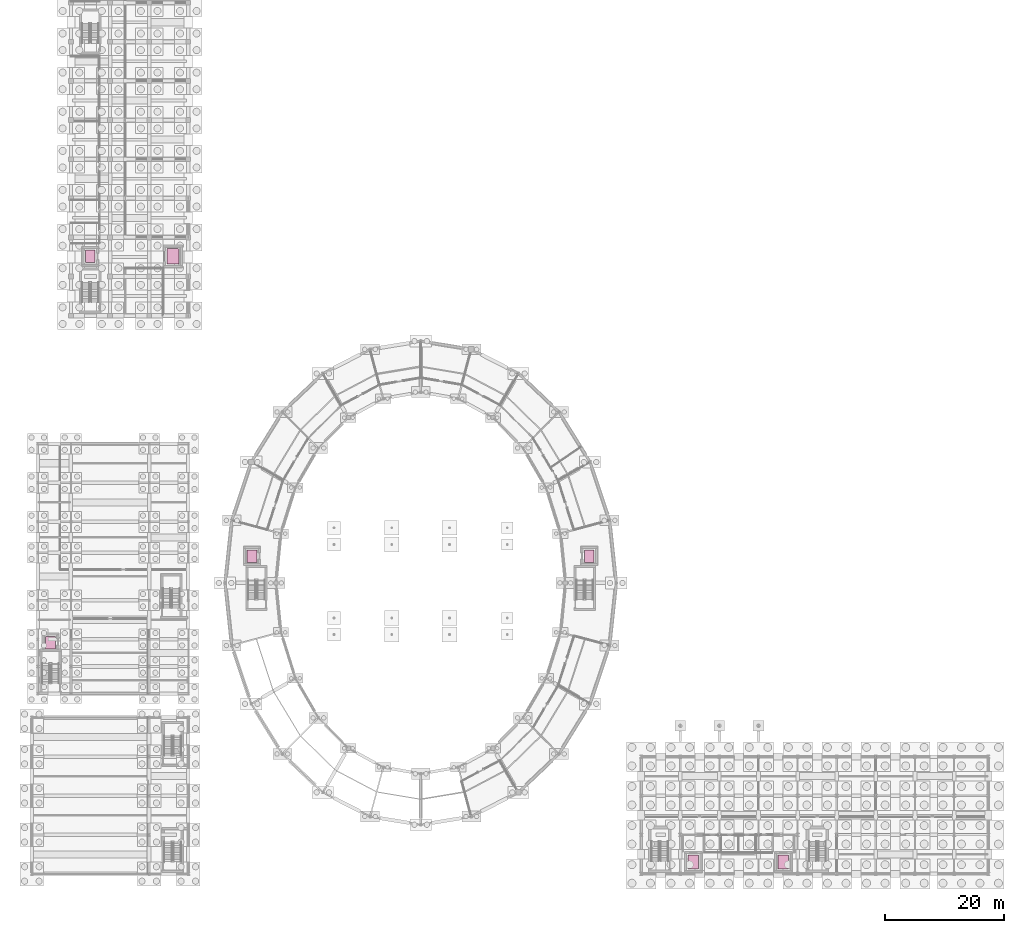
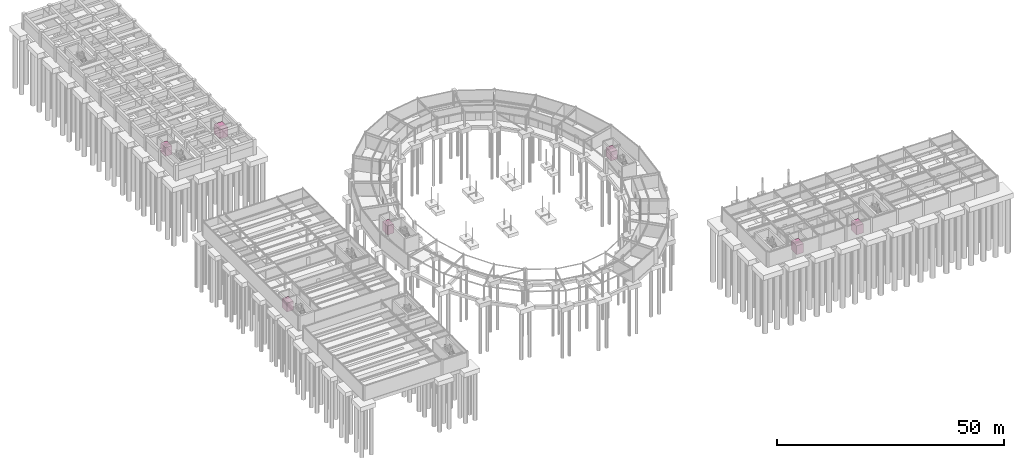
# One storey, part 58 of 58: 7 transport elements.
"""IFC4 building model written with IfcOpenShell, lengths in metres."""

from ifc_helpers import new_model, si_unit, direction, frame, origin, origin_2d, place, context, subcontext, project, spatial, rectangle, extrude, material, type_object, element, save


model = new_model("IFC4")

# Units and contexts
model_context = context("Model", 3, precision=1e-05, world=origin(), true_north=direction((0.0, 1.0)))
body_context = subcontext(model_context, "Body", "Model", "MODEL_VIEW")
ifc_project = project(units=[si_unit("LENGTHUNIT", "METRE"), si_unit("AREAUNIT", "SQUARE_METRE"), si_unit("VOLUMEUNIT", "CUBIC_METRE"), si_unit("PLANEANGLEUNIT", "RADIAN"), si_unit("MASSUNIT", "GRAM", prefix="KILO")], contexts=[model_context])

# Site, building, storey
site_placement = place(None, origin())
site = spatial("IfcSite", under=ifc_project, at=site_placement, CompositionType="ELEMENT")
building_placement = place(site_placement, origin())
building = spatial("IfcBuilding", under=site, at=building_placement, Name="Karori Crest Natural Sciences Institute", CompositionType="ELEMENT")
storey_placement = place(building_placement, frame((0.0, 0.0, -4.199951171875)))
storey = spatial("IfcBuildingStorey", under=building, at=storey_placement, Name="B1", CompositionType="ELEMENT", Elevation=-4.199951171875)

# Transport elements
ifc_material_1 = material(Name="Stainless steel 316 lift car", Category="steel")
transport_element_type_1 = type_object("IfcTransportElementType", Name="LFT-FF", PredefinedType="ELEVATOR", material=ifc_material_1)
for number, where, z_axis, x_axis, name in (
    (1, (112.39990234375, 2.800048828125, 0.0), (0.0, 0.0, 1.0), (1.0, 0.0, 0.0), "Firefighting lift LF-01"),
    (2, (127.60009765625, 2.800048828125, 0.0), (0.0, 0.0, 1.0), (1.0, 0.0, 0.0), "Firefighting lift LF-02"),
):
    element("IfcTransportElement", number, at=place(storey_placement, frame(where, z_axis=z_axis, x_axis=x_axis)), inside=storey, type_object=transport_element_type_1, Name=name, PredefinedType="ELEVATOR", context=body_context, shape_type="SweptSolid", body=[
        extrude(rectangle(XDim=1.800048828125, YDim=2.39990234375, at=origin_2d()), origin(), (0.0, 0.0, 1.0), 2.39990234375),
    ])
ifc_material_2 = material(Name="Stainless steel 316 goods lift car", Category="steel")
transport_element_type_2 = type_object("IfcTransportElementType", Name="LFT-GDS", PredefinedType="ELEVATOR", material=ifc_material_2)
transport_element_placement = place(storey_placement, frame((24.60009765625, 105.0, 0.0), z_axis=(0.0, 0.0, 1.0), x_axis=(1.0, 0.0, 0.0)))
element("IfcTransportElement", 3, at=transport_element_placement, inside=storey, type_object=transport_element_type_2, Name="Goods lift LG-01", PredefinedType="ELEVATOR", context=body_context, shape_type="SweptSolid", body=[
    extrude(rectangle(XDim=2.0, YDim=2.60009765625, at=origin_2d()), origin(), (0.0, 0.0, 1.0), 2.5),
])
transport_element_type_3 = type_object("IfcTransportElementType", Name="LFT-PAX", PredefinedType="ELEVATOR", material=ifc_material_1)
for number, where, z_axis, x_axis, name in (
    (4, (94.85009765625, 54.39990234375, 0.0), (0.0, 0.0, 1.0), (1.0, 0.0, 0.0), "Passenger lift LP-01"),
    (5, (37.949951171875, 54.39990234375, 0.0), (0.0, 0.0, 1.0), (1.0, 0.0, 0.0), "Passenger lift LP-02"),
    (6, (3.949951171875, 39.800048828125, 0.0), (0.0, 0.0, 1.0), (1.0, 0.0, 0.0), "Passenger lift LP-03"),
    (7, (10.64990234375, 105.0, 0.0), (0.0, 0.0, 1.0), (1.0, 0.0, 0.0), "Passenger lift LP-04"),
):
    element("IfcTransportElement", number, at=place(storey_placement, frame(where, z_axis=z_axis, x_axis=x_axis)), inside=storey, type_object=transport_element_type_3, Name=name, PredefinedType="ELEVATOR", context=body_context, shape_type="SweptSolid", body=[
        extrude(rectangle(XDim=1.64990234375, YDim=2.14990234375, at=origin_2d()), origin(), (0.0, 0.0, 1.0), 2.39990234375),
    ])

save(model, "model.ifc")
